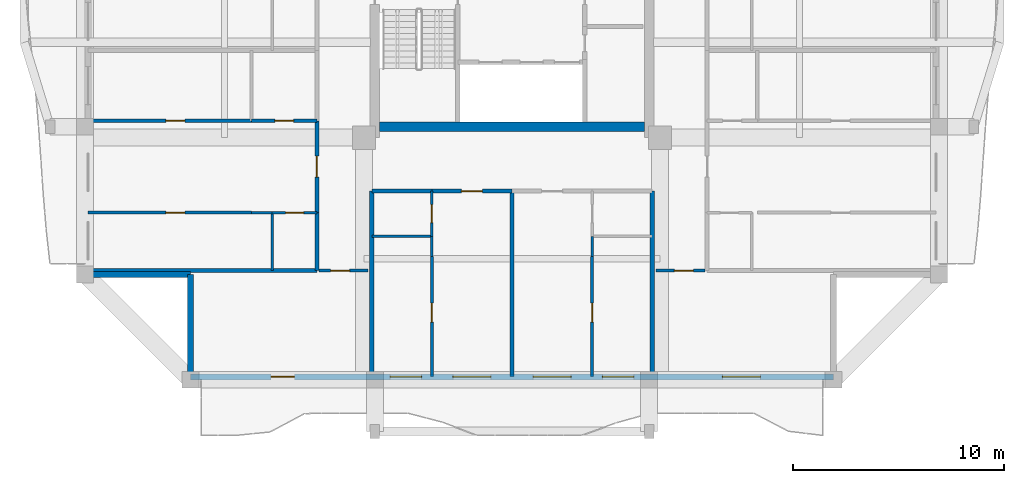
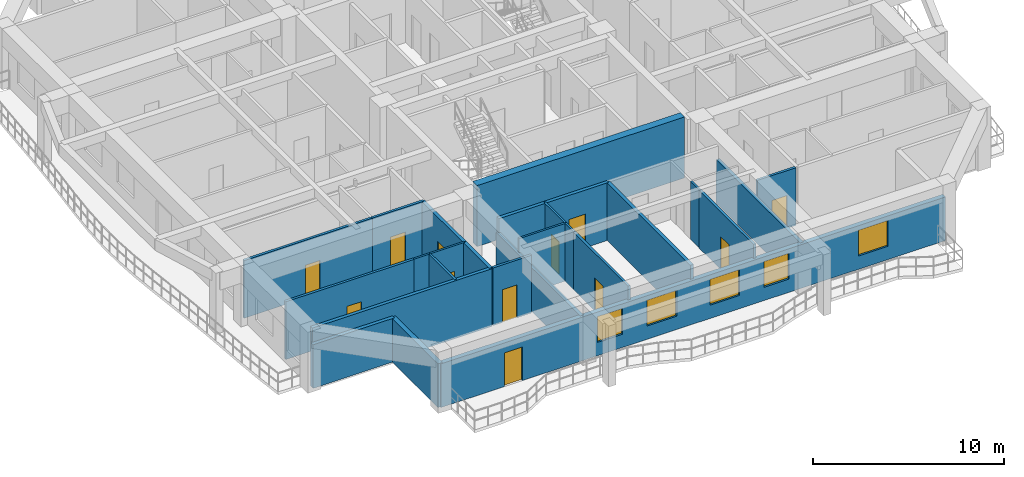
# One storey, part 2 of 13: 26 walls, 12 doors, 5 windows, 17 openings.
"""IFC4 building model written with IfcOpenShell, lengths in metres."""

from ifc_helpers import new_model, si_unit, direction, frame, frame_2d, origin, place, context, subcontext, project, spatial, rectangle, extrude, source, transform, mapped, material, layer, layer_set, type_object, element, fill, save


model = new_model("IFC4")

# Units and contexts
model_context = context("Model", 3, precision=1e-05, world=origin(), true_north=direction((0.0, 1.0)))
body_context = subcontext(model_context, "Body", "Model", "MODEL_VIEW")
ifc_project = project(units=[si_unit("LENGTHUNIT", "METRE"), si_unit("AREAUNIT", "SQUARE_METRE"), si_unit("VOLUMEUNIT", "CUBIC_METRE"), si_unit("PLANEANGLEUNIT", "RADIAN"), si_unit("MASSUNIT", "GRAM", prefix="KILO")], contexts=[model_context])

# Site, building, storey
site_placement = place(None, origin())
site = spatial("IfcSite", under=ifc_project, at=site_placement, CompositionType="ELEMENT")
building_placement = place(site_placement, origin())
building = spatial("IfcBuilding", under=site, at=building_placement, Name="Saelheon Loggia Tower", CompositionType="ELEMENT")
storey_placement = place(building_placement, frame((0.0, 0.0, 172.89990234375)))
storey = spatial("IfcBuildingStorey", under=building, at=storey_placement, Name="L54", CompositionType="ELEMENT", Elevation=172.89990234375)

# Wall
ifc_material_1 = material(Name="Concrete C45/55", Category="concrete")
ifc_layer_1 = layer(ifc_material_1, 0.449951171875)
ifc_layer_set_1 = layer_set([ifc_layer_1], Name="Concrete C45/55")
wall_type_1 = type_object("IfcWallType", Name="Wall_CoreShear_450", PredefinedType="SHEAR", material=ifc_layer_set_1)
wall_1_placement = place(storey_placement, frame((31.72509765625, 18.0, 0.0), z_axis=(0.0, 0.0, 1.0), x_axis=(1.0, 0.0, 0.0)))
element("IfcWall", 1, at=wall_1_placement, inside=storey, type_object=wall_type_1, Name="L54 Core Shear Wall South", PredefinedType="SHEAR", context=body_context, shape_type="SweptSolid", body=[
    extrude(rectangle(XDim=12.5498046875, YDim=0.449951171875, at=frame_2d((6.27490234375, 0.0))), origin(), (0.0, 0.0, 1.0), 3.900146484375),
])

# Wall, openings, windows, door
ifc_material_2 = material(Name="Architectural Precast Concrete C40/50", Category="concrete")
ifc_layer_2 = layer(ifc_material_2, 0.280029296875)
ifc_layer_set_2 = layer_set([ifc_layer_2], Name="Architectural Precast Concrete C40/50")
wall_type_2 = type_object("IfcWallType", Name="Wall_Ext_Loggia_280", PredefinedType="SOLIDWALL", material=ifc_layer_set_2)
wall_2_placement = place(storey_placement, frame((22.75, 6.139892578125, 0.0), z_axis=(0.0, 0.0, 1.0), x_axis=(1.0, 0.0, 0.0)))
wall_2 = element("IfcWall", 2, at=wall_2_placement, inside=storey, type_object=wall_type_2, Name="L54 South Loggia Inner Wall", PredefinedType="SOLIDWALL", context=body_context, shape_type="SweptSolid", body=[
    extrude(rectangle(XDim=30.5, YDim=0.280029296875, at=frame_2d((15.25, 0.0))), origin(), (0.0, 0.0, 1.0), 2.7900390625),
])
opening_1_placement = place(wall_2_placement, frame((4.925048828125, 0.0, 0.0), z_axis=(0.0, 0.0, 1.0), x_axis=(-1.0, 0.0, 0.0)))
opening_1 = element("IfcOpeningElement", 3, at=opening_1_placement, cuts=wall_2, Name="Opening TD1", PredefinedType="OPENING", context=body_context, shape_type="SweptSolid", body=[
    extrude(rectangle(XDim=1.10009765625, YDim=2.14990234375, at=frame_2d((0.550048828125, 1.074951171875))), frame((0.0, 0.152099609375, 0.0), z_axis=(0.0, -1.0, 0.0), x_axis=(1.0, 0.0, 0.0)), (0.0, 0.0, 1.0), 0.303955078125),
])
opening_2_placement = place(wall_2_placement, frame((9.469970703125, 0.0, 0.85009765625)))
opening_2 = element("IfcOpeningElement", 4, at=opening_2_placement, cuts=wall_2, Name="Opening WN-02", PredefinedType="OPENING", context=body_context, shape_type="SweptSolid", body=[
    extrude(rectangle(XDim=1.5, YDim=1.64990234375, at=frame_2d((0.75, 0.824951171875))), frame((0.0, 0.152099609375, 0.0), z_axis=(0.0, -1.0, 0.0), x_axis=(1.0, 0.0, 0.0)), (0.0, 0.0, 1.0), 0.303955078125),
])
opening_3_placement = place(wall_2_placement, frame((12.449951171875, 0.0, 0.85009765625)))
opening_3 = element("IfcOpeningElement", 5, at=opening_3_placement, cuts=wall_2, Name="Opening WN-01", PredefinedType="OPENING", context=body_context, shape_type="SweptSolid", body=[
    extrude(rectangle(XDim=1.800048828125, YDim=1.64990234375, at=frame_2d((0.89990234375, 0.824951171875))), frame((0.0, 0.152099609375, 0.0), z_axis=(0.0, -1.0, 0.0), x_axis=(1.0, 0.0, 0.0)), (0.0, 0.0, 1.0), 0.303955078125),
])
opening_4_placement = place(wall_2_placement, frame((16.25, 0.0, 0.85009765625)))
opening_4 = element("IfcOpeningElement", 6, at=opening_4_placement, cuts=wall_2, Name="Opening WN-01", PredefinedType="OPENING", context=body_context, shape_type="SweptSolid", body=[
    extrude(rectangle(XDim=1.800048828125, YDim=1.64990234375, at=frame_2d((0.89990234375, 0.824951171875))), frame((0.0, 0.152099609375, 0.0), z_axis=(0.0, -1.0, 0.0), x_axis=(1.0, 0.0, 0.0)), (0.0, 0.0, 1.0), 0.303955078125),
])
opening_5_placement = place(wall_2_placement, frame((19.530029296875, 0.0, 0.85009765625)))
opening_5 = element("IfcOpeningElement", 7, at=opening_5_placement, cuts=wall_2, Name="Opening WN-02", PredefinedType="OPENING", context=body_context, shape_type="SweptSolid", body=[
    extrude(rectangle(XDim=1.5, YDim=1.64990234375, at=frame_2d((0.75, 0.824951171875))), frame((0.0, 0.152099609375, 0.0), z_axis=(0.0, -1.0, 0.0), x_axis=(1.0, 0.0, 0.0)), (0.0, 0.0, 1.0), 0.303955078125),
])
opening_6_placement = place(wall_2_placement, frame((25.22509765625, 0.0, 0.85009765625)))
opening_6 = element("IfcOpeningElement", 8, at=opening_6_placement, cuts=wall_2, Name="Opening WN-01", PredefinedType="OPENING", context=body_context, shape_type="SweptSolid", body=[
    extrude(rectangle(XDim=1.800048828125, YDim=1.64990234375, at=frame_2d((0.89990234375, 0.824951171875))), frame((0.0, 0.152099609375, 0.0), z_axis=(0.0, -1.0, 0.0), x_axis=(1.0, 0.0, 0.0)), (0.0, 0.0, 1.0), 0.303955078125),
])
ifc_material_3 = material(Name="Thermal-Break Aluminium and Triple Low-E Glass", Category="aluminium")
window_type_1 = type_object("IfcWindowType", Name="Win_Dwelling_1800x1650", PartitioningType="SINGLE_PANEL", PredefinedType="WINDOW", material=ifc_material_3)
shared_shape_1 = source(origin(), body_context, "Body", "SweptSolid", [
    extrude(rectangle(XDim=1.800048828125, YDim=1.64990234375, at=frame_2d((0.89990234375, 0.824951171875))), frame((0.0, 0.030029296875, 0.0), z_axis=(0.0, -1.0, 0.0), x_axis=(1.0, 0.0, 0.0)), (0.0, 0.0, 1.0), 0.06005859375),
])
window_1_placement = place(opening_3_placement, origin())
window_1 = element("IfcWindow", 9, at=window_1_placement, inside=storey, type_object=window_type_1, Name="L54 S Dwelling Window 3", OverallHeight=1.64990234375, OverallWidth=1.800048828125, PartitioningType="SINGLE_PANEL", PredefinedType="WINDOW", context=body_context, shape_type="MappedRepresentation", body=[
    mapped(shared_shape_1, transform((0.0, 0.0, 0.0), scale=1.0)),
])
fill(opening_3, window_1)
window_2_placement = place(opening_4_placement, origin())
window_2 = element("IfcWindow", 10, at=window_2_placement, inside=storey, type_object=window_type_1, Name="L54 S Dwelling Window 4", OverallHeight=1.64990234375, OverallWidth=1.800048828125, PartitioningType="SINGLE_PANEL", PredefinedType="WINDOW", context=body_context, shape_type="MappedRepresentation", body=[
    mapped(shared_shape_1, transform((0.0, 0.0, 0.0), scale=1.0)),
])
fill(opening_4, window_2)
window_3_placement = place(opening_6_placement, origin())
window_3 = element("IfcWindow", 11, at=window_3_placement, inside=storey, type_object=window_type_1, Name="L54 S Dwelling Window 6", OverallHeight=1.64990234375, OverallWidth=1.800048828125, PartitioningType="SINGLE_PANEL", PredefinedType="WINDOW", context=body_context, shape_type="MappedRepresentation", body=[
    mapped(shared_shape_1, transform((0.0, 0.0, 0.0), scale=1.0)),
])
fill(opening_6, window_3)
ifc_material_4 = material(Name="Thermal-Break Aluminium Glazed Door", Category="aluminium")
door_type_1 = type_object("IfcDoorType", Name="Door_Terrace_TD1", OperationType="NOTDEFINED", PredefinedType="DOOR", material=ifc_material_4)
shared_shape_2 = source(origin(), body_context, "Body", "SweptSolid", [
    extrude(rectangle(XDim=1.10009765625, YDim=2.14990234375, at=frame_2d((0.550048828125, 1.074951171875))), frame((0.0, 0.02490234375, 0.0), z_axis=(0.0, -1.0, 0.0), x_axis=(1.0, 0.0, 0.0)), (0.0, 0.0, 1.0), 0.050048828125),
])
door_1_placement = place(opening_1_placement, origin())
door_1 = element("IfcDoor", 12, at=door_1_placement, inside=storey, type_object=door_type_1, Name="L54 S Loggia Access Door", OperationType="SINGLE_SWING_LEFT", OverallHeight=2.14990234375, OverallWidth=1.10009765625, PredefinedType="DOOR", context=body_context, shape_type="MappedRepresentation", body=[
    mapped(shared_shape_2, transform((0.0, 0.0, 0.0), scale=1.0)),
])
fill(opening_1, door_1)
window_type_2 = type_object("IfcWindowType", Name="Win_Dwelling_1500x1650", PartitioningType="SINGLE_PANEL", PredefinedType="WINDOW", material=ifc_material_3)
shared_shape_3 = source(origin(), body_context, "Body", "SweptSolid", [
    extrude(rectangle(XDim=1.5, YDim=1.64990234375, at=frame_2d((0.75, 0.824951171875))), frame((0.0, 0.030029296875, 0.0), z_axis=(0.0, -1.0, 0.0), x_axis=(1.0, 0.0, 0.0)), (0.0, 0.0, 1.0), 0.06005859375),
])
window_4_placement = place(opening_2_placement, origin())
window_4 = element("IfcWindow", 13, at=window_4_placement, inside=storey, type_object=window_type_2, Name="L54 S Dwelling Window 2", OverallHeight=1.64990234375, OverallWidth=1.5, PartitioningType="SINGLE_PANEL", PredefinedType="WINDOW", context=body_context, shape_type="MappedRepresentation", body=[
    mapped(shared_shape_3, transform((0.0, 0.0, 0.0), scale=1.0)),
])
fill(opening_2, window_4)
window_5_placement = place(opening_5_placement, origin())
window_5 = element("IfcWindow", 14, at=window_5_placement, inside=storey, type_object=window_type_2, Name="L54 S Dwelling Window 5", OverallHeight=1.64990234375, OverallWidth=1.5, PartitioningType="SINGLE_PANEL", PredefinedType="WINDOW", context=body_context, shape_type="MappedRepresentation", body=[
    mapped(shared_shape_3, transform((0.0, 0.0, 0.0), scale=1.0)),
])
fill(opening_5, window_5)

# Walls
for number, where, z_axis, x_axis, name in (
    (15, (22.75, 6.080078125, 0.0), (0.0, 0.0, 1.0), (0.0, 1.0, 0.0), "L54 Corner Notch Precast Wall SW1"),
    (16, (17.830078125, 11.0, 0.0), (0.0, 0.0, 1.0), (1.0, 0.0, 0.0), "L54 Corner Notch Precast Wall SW2"),
):
    element("IfcWall", number, at=place(storey_placement, frame(where, z_axis=z_axis, x_axis=x_axis)), inside=storey, type_object=wall_type_2, Name=name, PredefinedType="SOLIDWALL", context=body_context, shape_type="SweptSolid", body=[
        extrude(rectangle(XDim=4.919921875, YDim=0.280029296875, at=frame_2d((2.4599609375, 0.0))), origin(), (0.0, 0.0, 1.0), 2.7900390625),
    ])

# Wall, opening, door
ifc_material_5 = material(Name="Lightweight Autoclaved Aerated Concrete Block and Acoustic Gypsum", Category="concrete")
ifc_layer_3 = layer(ifc_material_5, 0.14990234375)
ifc_layer_set_3 = layer_set([ifc_layer_3], Name="Lightweight Autoclaved Aerated Concrete Block and Acoustic Gypsum")
wall_type_3 = type_object("IfcWallType", Name="Wall_Part_150", PredefinedType="PARTITIONING", material=ifc_layer_set_3)
wall_3_placement = place(storey_placement, frame((28.85009765625, 11.179931640625, 0.0), z_axis=(0.0, 0.0, 1.0), x_axis=(1.0, 0.0, 0.0)))
wall_3 = element("IfcWall", 17, at=wall_3_placement, inside=storey, type_object=wall_type_3, Name="PW-L54-CSW-H", PredefinedType="PARTITIONING", context=body_context, shape_type="SweptSolid", body=[
    extrude(rectangle(XDim=2.329833984375, YDim=0.14990234375, at=frame_2d((1.1650390625, 0.0))), origin(), (0.0, 0.0, 1.0), 3.690185546875),
])
opening_7_placement = place(wall_3_placement, frame((0.550048828125, 0.0, 0.0)))
opening_7 = element("IfcOpeningElement", 18, at=opening_7_placement, cuts=wall_3, Name="Opening D-IN2", PredefinedType="OPENING", context=body_context, shape_type="SweptSolid", body=[
    extrude(rectangle(XDim=0.89990234375, YDim=2.10009765625, at=frame_2d((0.449951171875, 1.050048828125))), frame((0.0, 0.0869140625, 0.0), z_axis=(0.0, -1.0, 0.0), x_axis=(1.0, 0.0, 0.0)), (0.0, 0.0, 1.0), 0.173828125),
])
ifc_material_6 = material(Name="Engineered Oak Flush Door", Category="timber")
door_type_2 = type_object("IfcDoorType", Name="Door_Int_900", OperationType="NOTDEFINED", PredefinedType="DOOR", material=ifc_material_6)
shared_shape_4 = source(origin(), body_context, "Body", "SweptSolid", [
    extrude(rectangle(XDim=0.89990234375, YDim=2.10009765625, at=frame_2d((0.449951171875, 1.050048828125))), frame((0.0, 0.02490234375, 0.0), z_axis=(0.0, -1.0, 0.0), x_axis=(1.0, 0.0, 0.0)), (0.0, 0.0, 1.0), 0.050048828125),
])
door_2_placement = place(opening_7_placement, origin())
door_2 = element("IfcDoor", 19, at=door_2_placement, inside=storey, type_object=door_type_2, Name="L54 Corner Home Office SW Door", OperationType="SINGLE_SWING_RIGHT", OverallHeight=2.10009765625, OverallWidth=0.89990234375, PredefinedType="DOOR", context=body_context, shape_type="MappedRepresentation", body=[
    mapped(shared_shape_4, transform((0.0, 0.0, 0.0), scale=1.0)),
])
fill(opening_7, door_2)

wall_4_placement = place(storey_placement, frame((44.820068359375, 11.179931640625, 0.0), z_axis=(0.0, 0.0, 1.0), x_axis=(1.0, 0.0, 0.0)))
wall_4 = element("IfcWall", 20, at=wall_4_placement, inside=storey, type_object=wall_type_3, Name="PW-L54-CSE-H", PredefinedType="PARTITIONING", context=body_context, shape_type="SweptSolid", body=[
    extrude(rectangle(XDim=2.329833984375, YDim=0.14990234375, at=frame_2d((1.1650390625, 0.0))), origin(), (0.0, 0.0, 1.0), 3.690185546875),
])
opening_8_placement = place(wall_4_placement, frame((0.8798828125, 0.0, 0.0)))
opening_8 = element("IfcOpeningElement", 21, at=opening_8_placement, cuts=wall_4, Name="Opening D-IN2", PredefinedType="OPENING", context=body_context, shape_type="SweptSolid", body=[
    extrude(rectangle(XDim=0.89990234375, YDim=2.10009765625, at=frame_2d((0.449951171875, 1.050048828125))), frame((0.0, 0.0869140625, 0.0), z_axis=(0.0, -1.0, 0.0), x_axis=(1.0, 0.0, 0.0)), (0.0, 0.0, 1.0), 0.173828125),
])
door_3_placement = place(opening_8_placement, origin())
door_3 = element("IfcDoor", 22, at=door_3_placement, inside=storey, type_object=door_type_2, Name="L54 Corner Reading Room SE Door", OperationType="SINGLE_SWING_RIGHT", OverallHeight=2.10009765625, OverallWidth=0.89990234375, PredefinedType="DOOR", context=body_context, shape_type="MappedRepresentation", body=[
    mapped(shared_shape_4, transform((0.0, 0.0, 0.0), scale=1.0)),
])
fill(opening_8, door_3)

wall_5_placement = place(storey_placement, frame((34.199951171875, 11.85009765625, 0.0), z_axis=(0.0, 0.0, 1.0), x_axis=(0.0, -1.0, 0.0)))
wall_5 = element("IfcWall", 23, at=wall_5_placement, inside=storey, type_object=wall_type_3, Name="L54 S Partition U08", PredefinedType="PARTITIONING", context=body_context, shape_type="SweptSolid", body=[
    extrude(rectangle(XDim=5.7001953125, YDim=0.14990234375, at=frame_2d((2.85009765625, 0.0))), origin(), (0.0, 0.0, 1.0), 3.690185546875),
])
opening_9_placement = place(wall_5_placement, frame((2.219970703125, 0.0, 0.0)))
opening_9 = element("IfcOpeningElement", 24, at=opening_9_placement, cuts=wall_5, Name="Opening D-IN2", PredefinedType="OPENING", context=body_context, shape_type="SweptSolid", body=[
    extrude(rectangle(XDim=0.89990234375, YDim=2.10009765625, at=frame_2d((0.449951171875, 1.050048828125))), frame((0.0, 0.0869140625, 0.0), z_axis=(0.0, -1.0, 0.0), x_axis=(1.0, 0.0, 0.0)), (0.0, 0.0, 1.0), 0.173828125),
])
door_4_placement = place(opening_9_placement, origin())
door_4 = element("IfcDoor", 25, at=door_4_placement, inside=storey, type_object=door_type_2, Name="Unit U01 Kitchen Door", OperationType="SINGLE_SWING_RIGHT", OverallHeight=2.10009765625, OverallWidth=0.89990234375, PredefinedType="DOOR", context=body_context, shape_type="MappedRepresentation", body=[
    mapped(shared_shape_4, transform((0.0, 0.0, 0.0), scale=1.0)),
])
fill(opening_9, door_4)

wall_6_placement = place(storey_placement, frame((41.800048828125, 11.85009765625, 0.0), z_axis=(0.0, 0.0, 1.0), x_axis=(0.0, -1.0, 0.0)))
wall_6 = element("IfcWall", 26, at=wall_6_placement, inside=storey, type_object=wall_type_3, Name="L54 S Partition U15", PredefinedType="PARTITIONING", context=body_context, shape_type="SweptSolid", body=[
    extrude(rectangle(XDim=5.7001953125, YDim=0.14990234375, at=frame_2d((2.85009765625, 0.0))), origin(), (0.0, 0.0, 1.0), 3.690185546875),
])
opening_10_placement = place(wall_6_placement, frame((2.219970703125, 0.0, 0.0)))
opening_10 = element("IfcOpeningElement", 27, at=opening_10_placement, cuts=wall_6, Name="Opening D-IN2", PredefinedType="OPENING", context=body_context, shape_type="SweptSolid", body=[
    extrude(rectangle(XDim=0.89990234375, YDim=2.10009765625, at=frame_2d((0.449951171875, 1.050048828125))), frame((0.0, 0.0869140625, 0.0), z_axis=(0.0, -1.0, 0.0), x_axis=(1.0, 0.0, 0.0)), (0.0, 0.0, 1.0), 0.173828125),
])
door_5_placement = place(opening_10_placement, origin())
door_5 = element("IfcDoor", 28, at=door_5_placement, inside=storey, type_object=door_type_2, Name="Unit U02 Kitchen Door", OperationType="SINGLE_SWING_LEFT", OverallHeight=2.10009765625, OverallWidth=0.89990234375, PredefinedType="DOOR", context=body_context, shape_type="MappedRepresentation", body=[
    mapped(shared_shape_4, transform((0.0, 0.0, 0.0), scale=1.0)),
])
fill(opening_10, door_5)

wall_7_placement = place(storey_placement, frame((25.64990234375, 13.929931640625, 0.0), z_axis=(0.0, 0.0, 1.0), x_axis=(-1.0, 0.0, 0.0)))
wall_7 = element("IfcWall", 29, at=wall_7_placement, inside=storey, type_object=wall_type_3, Name="L54 W Partition U10", PredefinedType="PARTITIONING", context=body_context, shape_type="SweptSolid", body=[
    extrude(rectangle(XDim=7.75, YDim=0.14990234375, at=frame_2d((3.875, 0.0))), origin(), (0.0, 0.0, 1.0), 3.690185546875),
])
opening_11_placement = place(wall_7_placement, frame((3.15966796875, 0.0, 0.0)))
opening_11 = element("IfcOpeningElement", 30, at=opening_11_placement, cuts=wall_7, Name="Opening D-IN2", PredefinedType="OPENING", context=body_context, shape_type="SweptSolid", body=[
    extrude(rectangle(XDim=0.89990234375, YDim=2.10009765625, at=frame_2d((0.449951171875, 1.050048828125))), frame((0.0, 0.0869140625, 0.0), z_axis=(0.0, -1.0, 0.0), x_axis=(1.0, 0.0, 0.0)), (0.0, 0.0, 1.0), 0.173828125),
])
door_6_placement = place(opening_11_placement, origin())
door_6 = element("IfcDoor", 31, at=door_6_placement, inside=storey, type_object=door_type_2, Name="Unit U05 Kitchen Door", OperationType="SINGLE_SWING_LEFT", OverallHeight=2.10009765625, OverallWidth=0.89990234375, PredefinedType="DOOR", context=body_context, shape_type="MappedRepresentation", body=[
    mapped(shared_shape_4, transform((0.0, 0.0, 0.0), scale=1.0)),
])
fill(opening_11, door_6)

wall_8_placement = place(storey_placement, frame((28.75, 18.280029296875, 0.0), z_axis=(0.0, 0.0, 1.0), x_axis=(-1.0, 0.0, 0.0)))
wall_8 = element("IfcWall", 32, at=wall_8_placement, inside=storey, type_object=wall_type_3, Name="L54 W Partition U11", PredefinedType="PARTITIONING", context=body_context, shape_type="SweptSolid", body=[
    extrude(rectangle(XDim=3.10009765625, YDim=0.14990234375, at=frame_2d((1.550048828125, 0.0))), origin(), (0.0, 0.0, 1.0), 3.690185546875),
])
opening_12_placement = place(wall_8_placement, frame((1.10009765625, 0.0, 0.0)))
opening_12 = element("IfcOpeningElement", 33, at=opening_12_placement, cuts=wall_8, Name="Opening D-IN2", PredefinedType="OPENING", context=body_context, shape_type="SweptSolid", body=[
    extrude(rectangle(XDim=0.89990234375, YDim=2.10009765625, at=frame_2d((0.449951171875, 1.050048828125))), frame((0.0, 0.0869140625, 0.0), z_axis=(0.0, -1.0, 0.0), x_axis=(1.0, 0.0, 0.0)), (0.0, 0.0, 1.0), 0.173828125),
])
door_7_placement = place(opening_12_placement, origin())
door_7 = element("IfcDoor", 34, at=door_7_placement, inside=storey, type_object=door_type_2, Name="Unit U05 Dressing Closet Door", OperationType="SINGLE_SWING_RIGHT", OverallHeight=2.10009765625, OverallWidth=0.89990234375, PredefinedType="DOOR", context=body_context, shape_type="MappedRepresentation", body=[
    mapped(shared_shape_4, transform((0.0, 0.0, 0.0), scale=1.0)),
])
fill(opening_12, door_7)

wall_9_placement = place(storey_placement, frame((25.64990234375, 18.280029296875, 0.0), z_axis=(0.0, 0.0, 1.0), x_axis=(-1.0, 0.0, 0.0)))
wall_9 = element("IfcWall", 35, at=wall_9_placement, inside=storey, type_object=wall_type_3, Name="L54 W Partition U12", PredefinedType="PARTITIONING", context=body_context, shape_type="SweptSolid", body=[
    extrude(rectangle(XDim=7.75, YDim=0.14990234375, at=frame_2d((3.875, 0.0))), origin(), (0.0, 0.0, 1.0), 3.690185546875),
])
opening_13_placement = place(wall_9_placement, frame((3.15966796875, 0.0, 0.0)))
opening_13 = element("IfcOpeningElement", 36, at=opening_13_placement, cuts=wall_9, Name="Opening D-IN2", PredefinedType="OPENING", context=body_context, shape_type="SweptSolid", body=[
    extrude(rectangle(XDim=0.89990234375, YDim=2.10009765625, at=frame_2d((0.449951171875, 1.050048828125))), frame((0.0, 0.0869140625, 0.0), z_axis=(0.0, -1.0, 0.0), x_axis=(1.0, 0.0, 0.0)), (0.0, 0.0, 1.0), 0.173828125),
])
door_8_placement = place(opening_13_placement, origin())
door_8 = element("IfcDoor", 37, at=door_8_placement, inside=storey, type_object=door_type_2, Name="Unit U05 Bedroom 1 Door", OperationType="SINGLE_SWING_LEFT", OverallHeight=2.10009765625, OverallWidth=0.89990234375, PredefinedType="DOOR", context=body_context, shape_type="MappedRepresentation", body=[
    mapped(shared_shape_4, transform((0.0, 0.0, 0.0), scale=1.0)),
])
fill(opening_13, door_8)

# Walls
ifc_material_7 = material(Name="Double Acoustic Stud and Fireboard Partition", Category="gypsum")
ifc_layer_4 = layer(ifc_material_7, 0.199951171875)
ifc_layer_set_4 = layer_set([ifc_layer_4], Name="Double Acoustic Stud and Fireboard Partition")
wall_type_4 = type_object("IfcWallType", Name="Wall_Party_200", PredefinedType="PARTITIONING", material=ifc_layer_set_4)
for number, where, z_axis, x_axis, name in (
    (38, (31.35009765625, 14.949951171875, 0.0), (0.0, 0.0, 1.0), (0.0, -1.0, 0.0), "L54 S Partition U01"),
    (39, (44.64990234375, 14.949951171875, 0.0), (0.0, 0.0, 1.0), (0.0, -1.0, 0.0), "L54 S Partition U02"),
):
    element("IfcWall", number, at=place(storey_placement, frame(where, z_axis=z_axis, x_axis=x_axis)), inside=storey, type_object=wall_type_4, Name=name, PredefinedType="PARTITIONING", context=body_context, shape_type="SweptSolid", body=[
        extrude(rectangle(XDim=8.800048828125, YDim=0.199951171875, at=frame_2d((4.39990234375, 0.0))), origin(), (0.0, 0.0, 1.0), 2.7900390625),
    ])
wall_10_placement = place(storey_placement, frame((31.35009765625, 14.949951171875, 0.0), z_axis=(0.0, 0.0, 1.0), x_axis=(1.0, 0.0, 0.0)))
element("IfcWall", 40, at=wall_10_placement, inside=storey, type_object=wall_type_4, Name="L54 S Partition V03", PredefinedType="PARTITIONING", context=body_context, shape_type="SweptSolid", body=[
    extrude(rectangle(XDim=2.849853515625, YDim=0.199951171875, at=frame_2d((1.4248046875, 0.0))), origin(), (0.0, 0.0, 1.0), 3.690185546875),
])

# Wall, opening, door
wall_11_placement = place(storey_placement, frame((34.199951171875, 14.949951171875, 0.0), z_axis=(0.0, 0.0, 1.0), x_axis=(1.0, 0.0, 0.0)))
wall_11 = element("IfcWall", 41, at=wall_11_placement, inside=storey, type_object=wall_type_4, Name="L54 S Partition V04", PredefinedType="PARTITIONING", context=body_context, shape_type="SweptSolid", body=[
    extrude(rectangle(XDim=3.800048828125, YDim=0.199951171875, at=frame_2d((1.89990234375, 0.0))), origin(), (0.0, 0.0, 1.0), 3.690185546875),
])
opening_14_placement = place(wall_11_placement, frame((1.39990234375, 0.0, 0.0)))
opening_14 = element("IfcOpeningElement", 42, at=opening_14_placement, cuts=wall_11, Name="Opening D-FD1", PredefinedType="OPENING", context=body_context, shape_type="SweptSolid", body=[
    extrude(rectangle(XDim=1.0, YDim=2.14990234375, at=frame_2d((0.5, 1.074951171875))), frame((0.0, 0.112060546875, 0.0), z_axis=(0.0, -1.0, 0.0), x_axis=(1.0, 0.0, 0.0)), (0.0, 0.0, 1.0), 0.223876953125),
])
ifc_material_8 = material(Name="Fire-Rated Engineered Timber Entrance Door", Category="wood")
door_type_3 = type_object("IfcDoorType", Name="Door_Flat_FD30S", OperationType="NOTDEFINED", PredefinedType="DOOR", material=ifc_material_8)
shared_shape_5 = source(origin(), body_context, "Body", "SweptSolid", [
    extrude(rectangle(XDim=1.0, YDim=2.14990234375, at=frame_2d((0.5, 1.074951171875))), frame((0.0, 0.02490234375, 0.0), z_axis=(0.0, -1.0, 0.0), x_axis=(1.0, 0.0, 0.0)), (0.0, 0.0, 1.0), 0.050048828125),
])
door_9_placement = place(opening_14_placement, origin())
door_9 = element("IfcDoor", 43, at=door_9_placement, inside=storey, type_object=door_type_3, Name="Unit U01 Entrance Door", OperationType="SINGLE_SWING_RIGHT", OverallHeight=2.14990234375, OverallWidth=1.0, PredefinedType="DOOR", context=body_context, shape_type="MappedRepresentation", body=[
    mapped(shared_shape_5, transform((0.0, 0.0, 0.0), scale=1.0)),
])
fill(opening_14, door_9)

# Walls
wall_12_placement = place(storey_placement, frame((38.0, 14.949951171875, 0.0), z_axis=(0.0, 0.0, 1.0), x_axis=(0.0, -1.0, 0.0)))
element("IfcWall", 44, at=wall_12_placement, inside=storey, type_object=wall_type_4, Name="L54 S Partition U09", PredefinedType="PARTITIONING", context=body_context, shape_type="SweptSolid", body=[
    extrude(rectangle(XDim=8.800048828125, YDim=0.199951171875, at=frame_2d((4.39990234375, 0.0))), origin(), (0.0, 0.0, 1.0), 3.690185546875),
])
wall_13_placement = place(storey_placement, frame((28.75, 11.179931640625, 0.0), z_axis=(0.0, 0.0, 1.0), x_axis=(-1.0, 0.0, 0.0)))
element("IfcWall", 45, at=wall_13_placement, inside=storey, type_object=wall_type_4, Name="L54 W Partition U01", PredefinedType="PARTITIONING", context=body_context, shape_type="SweptSolid", body=[
    extrude(rectangle(XDim=10.85009765625, YDim=0.199951171875, at=frame_2d((5.425048828125, 0.0))), origin(), (0.0, 0.0, 1.0), 3.690185546875),
])
wall_14_placement = place(storey_placement, frame((28.75, 11.179931640625, 0.0), z_axis=(0.0, 0.0, 1.0), x_axis=(0.0, 1.0, 0.0)))
element("IfcWall", 46, at=wall_14_placement, inside=storey, type_object=wall_type_4, Name="L54 W Partition V03", PredefinedType="PARTITIONING", context=body_context, shape_type="SweptSolid", body=[
    extrude(rectangle(XDim=2.75, YDim=0.199951171875, at=frame_2d((1.375, 0.0))), origin(), (0.0, 0.0, 1.0), 3.690185546875),
])

# Wall, opening, door
wall_15_placement = place(storey_placement, frame((28.75, 13.929931640625, 0.0), z_axis=(0.0, 0.0, 1.0), x_axis=(0.0, 1.0, 0.0)))
wall_15 = element("IfcWall", 47, at=wall_15_placement, inside=storey, type_object=wall_type_4, Name="L54 W Partition V04", PredefinedType="PARTITIONING", context=body_context, shape_type="SweptSolid", body=[
    extrude(rectangle(XDim=4.35009765625, YDim=0.199951171875, at=frame_2d((2.175048828125, 0.0))), origin(), (0.0, 0.0, 1.0), 3.690185546875),
])
opening_15_placement = place(wall_15_placement, frame((1.675048828125, 0.0, 0.0)))
opening_15 = element("IfcOpeningElement", 48, at=opening_15_placement, cuts=wall_15, Name="Opening D-FD1", PredefinedType="OPENING", context=body_context, shape_type="SweptSolid", body=[
    extrude(rectangle(XDim=1.0, YDim=2.14990234375, at=frame_2d((0.5, 1.074951171875))), frame((0.0, 0.112060546875, 0.0), z_axis=(0.0, -1.0, 0.0), x_axis=(1.0, 0.0, 0.0)), (0.0, 0.0, 1.0), 0.223876953125),
])
door_10_placement = place(opening_15_placement, origin())
door_10 = element("IfcDoor", 49, at=door_10_placement, inside=storey, type_object=door_type_3, Name="Unit U05 Entrance Door", OperationType="SINGLE_SWING_LEFT", OverallHeight=2.14990234375, OverallWidth=1.0, PredefinedType="DOOR", context=body_context, shape_type="MappedRepresentation", body=[
    mapped(shared_shape_5, transform((0.0, 0.0, 0.0), scale=1.0)),
])
fill(opening_15, door_10)

ifc_material_9 = material(Name="Moisture-Resistant Cement Board Partition", Category="gypsum")
ifc_layer_5 = layer(ifc_material_9, 0.1201171875)
ifc_layer_set_5 = layer_set([ifc_layer_5], Name="Moisture-Resistant Cement Board Partition")
wall_type_5 = type_object("IfcWallType", Name="Wall_WetPart_120", PredefinedType="PARTITIONING", material=ifc_layer_set_5)
wall_16_placement = place(storey_placement, frame((34.199951171875, 14.949951171875, 0.0), z_axis=(0.0, 0.0, 1.0), x_axis=(0.0, -1.0, 0.0)))
wall_16 = element("IfcWall", 50, at=wall_16_placement, inside=storey, type_object=wall_type_5, Name="L54 S Partition U05", PredefinedType="PARTITIONING", context=body_context, shape_type="SweptSolid", body=[
    extrude(rectangle(XDim=2.14990234375, YDim=0.1201171875, at=frame_2d((1.074951171875, 0.0))), origin(), (0.0, 0.0, 1.0), 3.690185546875),
])
opening_16_placement = place(wall_16_placement, frame((0.64990234375, 0.0, 0.0)))
opening_16 = element("IfcOpeningElement", 51, at=opening_16_placement, cuts=wall_16, Name="Opening D-BT1", PredefinedType="OPENING", context=body_context, shape_type="SweptSolid", body=[
    extrude(rectangle(XDim=0.85009765625, YDim=2.050048828125, at=frame_2d((0.425048828125, 1.02490234375))), frame((0.0, 0.072021484375, 0.0), z_axis=(0.0, -1.0, 0.0), x_axis=(1.0, 0.0, 0.0)), (0.0, 0.0, 1.0), 0.14404296875),
])
ifc_material_10 = material(Name="Moisture-Resistant Laminate Timber Door", Category="wood")
door_type_4 = type_object("IfcDoorType", Name="Door_Bath_850", OperationType="NOTDEFINED", PredefinedType="DOOR", material=ifc_material_10)
shared_shape_6 = source(origin(), body_context, "Body", "SweptSolid", [
    extrude(rectangle(XDim=0.85009765625, YDim=2.050048828125, at=frame_2d((0.425048828125, 1.02490234375))), frame((0.0, 0.02490234375, 0.0), z_axis=(0.0, -1.0, 0.0), x_axis=(1.0, 0.0, 0.0)), (0.0, 0.0, 1.0), 0.050048828125),
])
door_11_placement = place(opening_16_placement, origin())
door_11 = element("IfcDoor", 52, at=door_11_placement, inside=storey, type_object=door_type_4, Name="Unit U01 Bathroom Door", OperationType="SINGLE_SWING_LEFT", OverallHeight=2.050048828125, OverallWidth=0.85009765625, PredefinedType="DOOR", context=body_context, shape_type="MappedRepresentation", body=[
    mapped(shared_shape_6, transform((0.0, 0.0, 0.0), scale=1.0)),
])
fill(opening_16, door_11)

# Walls
wall_17_placement = place(storey_placement, frame((34.199951171875, 12.800048828125, 0.0), z_axis=(0.0, 0.0, 1.0), x_axis=(0.0, -1.0, 0.0)))
element("IfcWall", 53, at=wall_17_placement, inside=storey, type_object=wall_type_5, Name="L54 S Partition U06", PredefinedType="PARTITIONING", context=body_context, shape_type="SweptSolid", body=[
    extrude(rectangle(XDim=0.949951171875, YDim=0.1201171875, at=frame_2d((0.47509765625, 0.0))), origin(), (0.0, 0.0, 1.0), 3.690185546875),
])
wall_18_placement = place(storey_placement, frame((31.35009765625, 12.800048828125, 0.0), z_axis=(0.0, 0.0, 1.0), x_axis=(1.0, 0.0, 0.0)))
element("IfcWall", 54, at=wall_18_placement, inside=storey, type_object=wall_type_5, Name="L54 S Partition V07", PredefinedType="PARTITIONING", context=body_context, shape_type="SweptSolid", body=[
    extrude(rectangle(XDim=2.849853515625, YDim=0.1201171875, at=frame_2d((1.4248046875, 0.0))), origin(), (0.0, 0.0, 1.0), 3.690185546875),
])
wall_19_placement = place(storey_placement, frame((41.800048828125, 12.800048828125, 0.0), z_axis=(0.0, 0.0, 1.0), x_axis=(0.0, -1.0, 0.0)))
element("IfcWall", 55, at=wall_19_placement, inside=storey, type_object=wall_type_5, Name="L54 S Partition U13", PredefinedType="PARTITIONING", context=body_context, shape_type="SweptSolid", body=[
    extrude(rectangle(XDim=0.949951171875, YDim=0.1201171875, at=frame_2d((0.47509765625, 0.0))), origin(), (0.0, 0.0, 1.0), 3.690185546875),
])
wall_20_placement = place(storey_placement, frame((26.6298828125, 11.179931640625, 0.0), z_axis=(0.0, 0.0, 1.0), x_axis=(0.0, 1.0, 0.0)))
element("IfcWall", 56, at=wall_20_placement, inside=storey, type_object=wall_type_5, Name="L54 W Partition V06", PredefinedType="PARTITIONING", context=body_context, shape_type="SweptSolid", body=[
    extrude(rectangle(XDim=2.75, YDim=0.1201171875, at=frame_2d((1.375, 0.0))), origin(), (0.0, 0.0, 1.0), 3.690185546875),
])

# Wall, opening, door
wall_21_placement = place(storey_placement, frame((28.75, 13.929931640625, 0.0), z_axis=(0.0, 0.0, 1.0), x_axis=(-1.0, 0.0, 0.0)))
wall_21 = element("IfcWall", 57, at=wall_21_placement, inside=storey, type_object=wall_type_5, Name="L54 W Partition U08", PredefinedType="PARTITIONING", context=body_context, shape_type="SweptSolid", body=[
    extrude(rectangle(XDim=2.1201171875, YDim=0.1201171875, at=frame_2d((1.06005859375, 0.0))), origin(), (0.0, 0.0, 1.0), 3.690185546875),
])
opening_17_placement = place(wall_21_placement, frame((0.635009765625, 0.0, 0.0)))
opening_17 = element("IfcOpeningElement", 58, at=opening_17_placement, cuts=wall_21, Name="Opening D-BT1", PredefinedType="OPENING", context=body_context, shape_type="SweptSolid", body=[
    extrude(rectangle(XDim=0.85009765625, YDim=2.050048828125, at=frame_2d((0.425048828125, 1.02490234375))), frame((0.0, 0.072021484375, 0.0), z_axis=(0.0, -1.0, 0.0), x_axis=(1.0, 0.0, 0.0)), (0.0, 0.0, 1.0), 0.14404296875),
])
door_12_placement = place(opening_17_placement, origin())
door_12 = element("IfcDoor", 59, at=door_12_placement, inside=storey, type_object=door_type_4, Name="Unit U05 Bathroom Door", OperationType="SINGLE_SWING_RIGHT", OverallHeight=2.050048828125, OverallWidth=0.85009765625, PredefinedType="DOOR", context=body_context, shape_type="MappedRepresentation", body=[
    mapped(shared_shape_6, transform((0.0, 0.0, 0.0), scale=1.0)),
])
fill(opening_17, door_12)

# Wall
wall_22_placement = place(storey_placement, frame((26.6298828125, 13.929931640625, 0.0), z_axis=(0.0, 0.0, 1.0), x_axis=(-1.0, 0.0, 0.0)))
element("IfcWall", 60, at=wall_22_placement, inside=storey, type_object=wall_type_5, Name="L54 W Partition U09", PredefinedType="PARTITIONING", context=body_context, shape_type="SweptSolid", body=[
    extrude(rectangle(XDim=0.97998046875, YDim=0.1201171875, at=frame_2d((0.489990234375, 0.0))), origin(), (0.0, 0.0, 1.0), 3.690185546875),
])

save(model, "model.ifc")
